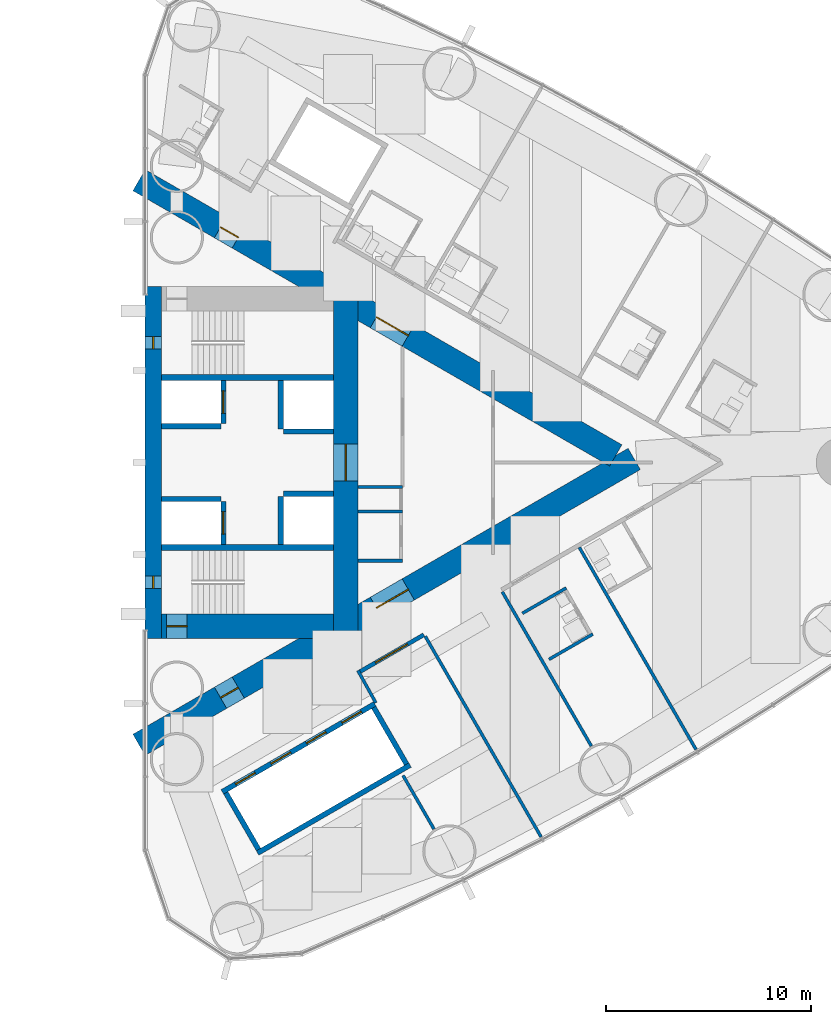
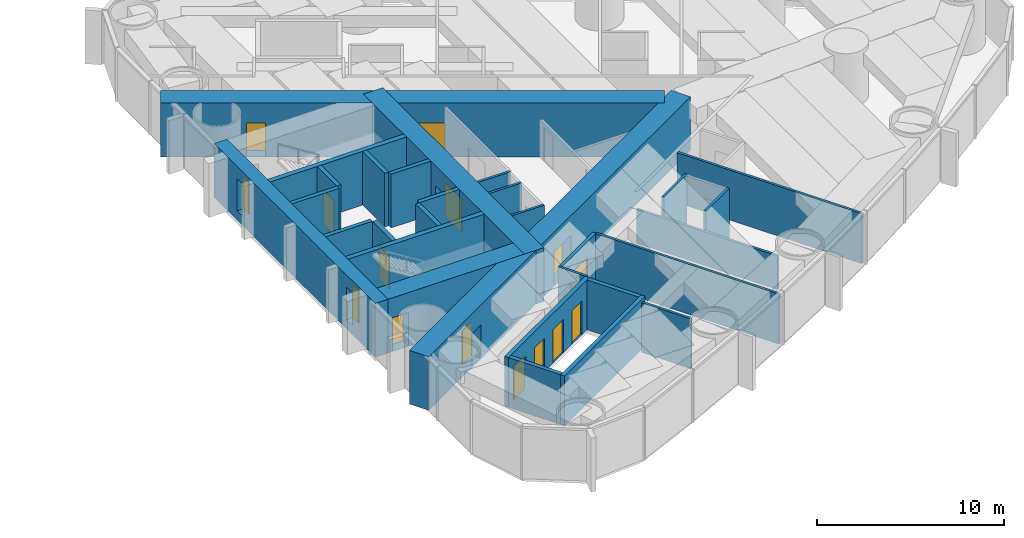
# One storey, part 13 of 18: 30 walls, 13 doors, 2 windows, 15 openings.
"""IFC4 building model written with IfcOpenShell, lengths in metres."""

from ifc_helpers import new_model, si_unit, direction, frame, frame_2d, origin, place, context, subcontext, project, spatial, rectangle, extrude, material, layer, layer_set, type_object, element, fill, save


model = new_model("IFC4")

# Units and contexts
model_context = context("Model", 3, precision=1e-05, world=origin(), true_north=direction((0.0, 1.0)))
body_context = subcontext(model_context, "Body", "Model", "MODEL_VIEW")
ifc_project = project(units=[si_unit("LENGTHUNIT", "METRE"), si_unit("AREAUNIT", "SQUARE_METRE"), si_unit("VOLUMEUNIT", "CUBIC_METRE"), si_unit("PLANEANGLEUNIT", "RADIAN"), si_unit("MASSUNIT", "GRAM", prefix="KILO")], contexts=[model_context])

# Site, building, storey
site_placement = place(None, origin())
site = spatial("IfcSite", under=ifc_project, at=site_placement, CompositionType="ELEMENT")
building_placement = place(site_placement, origin())
building = spatial("IfcBuilding", under=site, at=building_placement, Name="Lancet Gate Hotel", CompositionType="ELEMENT")
storey_placement = place(building_placement, frame((0.0, 0.0, 125.60009765625)))
storey = spatial("IfcBuildingStorey", under=building, at=storey_placement, Name="L33", CompositionType="ELEMENT", Elevation=125.60009765625)

# Walls
ifc_material_1 = material(Name="Moisture resistant board partition")
ifc_layer_1 = layer(ifc_material_1, 0.14990234375)
ifc_layer_set_1 = layer_set([ifc_layer_1], Name="Bathroom wall 150")
wall_type_1 = type_object("IfcWallType", Name="Bathroom wall 150", PredefinedType="PARTITIONING", material=ifc_layer_set_1)
wall_1_placement = place(storey_placement, frame((47.235107421875, -9.622802734375, 0.0), z_axis=(0.0, 0.0, 1.0), x_axis=(0.866006523861, 0.500032699561, 0.0)))
element("IfcWall", 1, at=wall_1_placement, inside=storey, type_object=wall_type_1, Name="T2 bathroom wall 150 L33", PredefinedType="PARTITIONING", context=body_context, shape_type="SweptSolid", body=[
    extrude(rectangle(XDim=2.474853515625, YDim=0.14990234375, at=frame_2d((1.2373046875, 0.0))), origin(), (0.0, 0.0, 1.0), 3.25),
])
wall_2_placement = place(storey_placement, frame((45.93505859375, -7.37109375, 0.0), z_axis=(0.0, 0.0, 1.0), x_axis=(0.866031185235, 0.4999899861, 0.0)))
element("IfcWall", 2, at=wall_2_placement, inside=storey, type_object=wall_type_1, Name="T2 bathroom wall 150 L33", PredefinedType="PARTITIONING", context=body_context, shape_type="SweptSolid", body=[
    extrude(rectangle(XDim=2.47509765625, YDim=0.14990234375, at=frame_2d((1.237548828125, 0.0))), origin(), (0.0, 0.0, 1.0), 3.25),
])

# Wall, openings, doors
ifc_material_2 = material(Name="Concrete C70/85", Category="concrete")
ifc_layer_2 = layer(ifc_material_2, 1.199951171875)
ifc_layer_set_2 = layer_set([ifc_layer_2], Name="Buttress wall 1200")
wall_type_2 = type_object("IfcWallType", Name="Buttress wall 1200", PredefinedType="SHEAR", material=ifc_layer_set_2)
wall_3_placement = place(storey_placement, frame((27.199951171875, -13.800048828125, 0.0), z_axis=(0.0, 0.0, 1.0), x_axis=(0.866027159892, 0.499996958321, 0.0)))
wall_3 = element("IfcWall", 3, at=wall_3_placement, inside=storey, type_object=wall_type_2, Name="T2 buttress wall S L33", PredefinedType="SHEAR", context=body_context, shape_type="SweptSolid", body=[
    extrude(rectangle(XDim=27.946533203125, YDim=1.199951171875, at=frame_2d((13.97314453125, 0.0))), origin(), (0.0, 0.0, 1.0), 3.5),
])
opening_1_placement = place(wall_3_placement, frame((4.60009765625, 0.0, 0.0)))
opening_1 = element("IfcOpeningElement", 4, at=opening_1_placement, cuts=wall_3, Name="Opening T2-L33-LS", PredefinedType="OPENING", context=body_context, shape_type="SweptSolid", body=[
    extrude(rectangle(XDim=1.0, YDim=2.199951171875, at=frame_2d((0.5, 1.10009765625))), frame((0.0, 0.60986328125, 0.0), z_axis=(0.0, -1.0, 0.0), x_axis=(1.0, 0.0, 0.0)), (0.0, 0.0, 1.0), 1.219970703125),
])
opening_2_placement = place(wall_3_placement, frame((13.39453125, 0.0, 0.0)))
opening_2 = element("IfcOpeningElement", 5, at=opening_2_placement, cuts=wall_3, Name="Opening T2-L33-LHS", PredefinedType="OPENING", context=body_context, shape_type="SweptSolid", body=[
    extrude(rectangle(XDim=1.800048828125, YDim=2.199951171875, at=frame_2d((0.89990234375, 1.10009765625))), frame((0.0, 0.60986328125, 0.0), z_axis=(0.0, -1.0, 0.0), x_axis=(1.0, 0.0, 0.0)), (0.0, 0.0, 1.0), 1.219970703125),
])
ifc_material_3 = material(Name="Timber door set", Category="wood")
door_type_1 = type_object("IfcDoorType", Name="Lobby double door 1800", OperationType="DOUBLE_DOOR_SINGLE_SWING", PredefinedType="DOOR", material=ifc_material_3)
door_1_placement = place(opening_2_placement, origin())
door_1 = element("IfcDoor", 6, at=door_1_placement, inside=storey, type_object=door_type_1, Name="T2-L33-LHS", OperationType="DOUBLE_DOOR_SINGLE_SWING", OverallHeight=2.199951171875, OverallWidth=1.800048828125, PredefinedType="DOOR", context=body_context, shape_type="SweptSolid", body=[
    extrude(rectangle(XDim=1.800048828125, YDim=2.199951171875, at=frame_2d((0.89990234375, 1.10009765625))), frame((0.0, 0.02490234375, 0.0), z_axis=(0.0, -1.0, 0.0), x_axis=(1.0, 0.0, 0.0)), (0.0, 0.0, 1.0), 0.050048828125),
])
fill(opening_2, door_1)
ifc_material_4 = material(Name="Timber door set", Category="wood")
door_type_2 = type_object("IfcDoorType", Name="Stair lobby door 1000", OperationType="SINGLE_SWING_LEFT", PredefinedType="DOOR", material=ifc_material_4)
door_2_placement = place(opening_1_placement, origin())
door_2 = element("IfcDoor", 7, at=door_2_placement, inside=storey, type_object=door_type_2, Name="T2-L33-LS", OperationType="SINGLE_SWING_LEFT", OverallHeight=2.199951171875, OverallWidth=1.0, PredefinedType="DOOR", context=body_context, shape_type="SweptSolid", body=[
    extrude(rectangle(XDim=1.0, YDim=2.199951171875, at=frame_2d((0.5, 1.10009765625))), frame((0.0, 0.02490234375, 0.0), z_axis=(0.0, -1.0, 0.0), x_axis=(1.0, 0.0, 0.0)), (0.0, 0.0, 1.0), 0.050048828125),
])
fill(opening_1, door_2)

wall_4_placement = place(storey_placement, frame((27.199951171875, 13.800048828125, 0.0), z_axis=(0.0, 0.0, 1.0), x_axis=(0.866024515034, -0.500001539357, 0.0)))
wall_4 = element("IfcWall", 8, at=wall_4_placement, inside=storey, type_object=wall_type_2, Name="T2 buttress wall N L33", PredefinedType="SHEAR", context=body_context, shape_type="SweptSolid", body=[
    extrude(rectangle(XDim=26.9072265625, YDim=1.199951171875, at=frame_2d((13.45361328125, 0.0))), origin(), (0.0, 0.0, 1.0), 3.5),
])
opening_3_placement = place(wall_4_placement, frame((4.60009765625, 0.0, 0.0)))
opening_3 = element("IfcOpeningElement", 9, at=opening_3_placement, cuts=wall_4, Name="Opening T2-L33-LN", PredefinedType="OPENING", context=body_context, shape_type="SweptSolid", body=[
    extrude(rectangle(XDim=1.0, YDim=2.199951171875, at=frame_2d((0.5, 1.10009765625))), frame((0.0, 0.60986328125, 0.0), z_axis=(0.0, -1.0, 0.0), x_axis=(1.0, 0.0, 0.0)), (0.0, 0.0, 1.0), 1.219970703125),
])
opening_4_placement = place(wall_4_placement, frame((13.39453125, 0.0, 0.0)))
opening_4 = element("IfcOpeningElement", 10, at=opening_4_placement, cuts=wall_4, Name="Opening T2-L33-LHN", PredefinedType="OPENING", context=body_context, shape_type="SweptSolid", body=[
    extrude(rectangle(XDim=1.800048828125, YDim=2.199951171875, at=frame_2d((0.89990234375, 1.10009765625))), frame((0.0, 0.60986328125, 0.0), z_axis=(0.0, -1.0, 0.0), x_axis=(1.0, 0.0, 0.0)), (0.0, 0.0, 1.0), 1.219970703125),
])
door_3_placement = place(opening_4_placement, origin())
door_3 = element("IfcDoor", 11, at=door_3_placement, inside=storey, type_object=door_type_1, Name="T2-L33-LHN", OperationType="DOUBLE_DOOR_SINGLE_SWING", OverallHeight=2.199951171875, OverallWidth=1.800048828125, PredefinedType="DOOR", context=body_context, shape_type="SweptSolid", body=[
    extrude(rectangle(XDim=1.800048828125, YDim=2.199951171875, at=frame_2d((0.89990234375, 1.10009765625))), frame((0.0, 0.02490234375, 0.0), z_axis=(0.0, -1.0, 0.0), x_axis=(1.0, 0.0, 0.0)), (0.0, 0.0, 1.0), 0.050048828125),
])
fill(opening_4, door_3)
door_4_placement = place(opening_3_placement, origin())
door_4 = element("IfcDoor", 12, at=door_4_placement, inside=storey, type_object=door_type_2, Name="T2-L33-LN", OperationType="SINGLE_SWING_LEFT", OverallHeight=2.199951171875, OverallWidth=1.0, PredefinedType="DOOR", context=body_context, shape_type="SweptSolid", body=[
    extrude(rectangle(XDim=1.0, YDim=2.199951171875, at=frame_2d((0.5, 1.10009765625))), frame((0.0, 0.02490234375, 0.0), z_axis=(0.0, -1.0, 0.0), x_axis=(1.0, 0.0, 0.0)), (0.0, 0.0, 1.0), 0.050048828125),
])
fill(opening_3, door_4)

# Wall, opening, door
ifc_material_5 = material(Name="Concrete C70/85", Category="concrete")
ifc_layer_3 = layer(ifc_material_5, 1.199951171875)
ifc_layer_set_3 = layer_set([ifc_layer_3], Name="Core wall 1200")
wall_type_3 = type_object("IfcWallType", Name="Core wall 1200", PredefinedType="SHEAR", material=ifc_layer_set_3)
wall_5_placement = place(storey_placement, frame((37.300048828125, -8.60009765625, 0.0), z_axis=(0.0, 0.0, 1.0), x_axis=(0.0, 1.0, 0.0)))
wall_5 = element("IfcWall", 13, at=wall_5_placement, inside=storey, type_object=wall_type_3, Name="T2 core wall back L33", PredefinedType="SHEAR", context=body_context, shape_type="SweptSolid", body=[
    extrude(rectangle(XDim=17.2001953125, YDim=1.199951171875, at=frame_2d((8.60009765625, 0.0))), origin(), (0.0, 0.0, 1.0), 3.5),
])
opening_5_placement = place(wall_5_placement, frame((7.699951171875, 0.0, 0.0)))
opening_5 = element("IfcOpeningElement", 14, at=opening_5_placement, cuts=wall_5, Name="Opening T2-L33-LL", PredefinedType="OPENING", context=body_context, shape_type="SweptSolid", body=[
    extrude(rectangle(XDim=1.800048828125, YDim=2.199951171875, at=frame_2d((0.89990234375, 1.10009765625))), frame((0.0, 0.60986328125, 0.0), z_axis=(0.0, -1.0, 0.0), x_axis=(1.0, 0.0, 0.0)), (0.0, 0.0, 1.0), 1.219970703125),
])
door_5_placement = place(opening_5_placement, origin())
door_5 = element("IfcDoor", 15, at=door_5_placement, inside=storey, type_object=door_type_1, Name="T2-L33-LL", OperationType="DOUBLE_DOOR_SINGLE_SWING", OverallHeight=2.199951171875, OverallWidth=1.800048828125, PredefinedType="DOOR", context=body_context, shape_type="SweptSolid", body=[
    extrude(rectangle(XDim=1.800048828125, YDim=2.199951171875, at=frame_2d((0.89990234375, 1.10009765625))), frame((0.0, 0.02490234375, 0.0), z_axis=(0.0, -1.0, 0.0), x_axis=(1.0, 0.0, 0.0)), (0.0, 0.0, 1.0), 0.050048828125),
])
fill(opening_5, door_5)

wall_6_placement = place(storey_placement, frame((28.300048828125, -8.0, 0.0), z_axis=(0.0, 0.0, 1.0), x_axis=(1.0, 0.0, 0.0)))
wall_6 = element("IfcWall", 16, at=wall_6_placement, inside=storey, type_object=wall_type_3, Name="T2 core wall side-S L33", PredefinedType="SHEAR", context=body_context, shape_type="SweptSolid", body=[
    extrude(rectangle(XDim=8.39990234375, YDim=1.199951171875, at=frame_2d((4.199951171875, 0.0))), origin(), (0.0, 0.0, 1.0), 3.5),
])
opening_6_placement = place(wall_6_placement, frame((0.25, 0.0, 0.0)))
opening_6 = element("IfcOpeningElement", 17, at=opening_6_placement, cuts=wall_6, Name="Opening T2-L33-ST1", PredefinedType="OPENING", context=body_context, shape_type="SweptSolid", body=[
    extrude(rectangle(XDim=1.0, YDim=2.199951171875, at=frame_2d((0.5, 1.10009765625))), frame((0.0, 0.60986328125, 0.0), z_axis=(0.0, -1.0, 0.0), x_axis=(1.0, 0.0, 0.0)), (0.0, 0.0, 1.0), 1.219970703125),
])
ifc_material_6 = material(Name="Timber door set", Category="wood")
door_type_3 = type_object("IfcDoorType", Name="Stair door 1000", OperationType="SINGLE_SWING_RIGHT", PredefinedType="DOOR", material=ifc_material_6)
door_6_placement = place(opening_6_placement, origin())
door_6 = element("IfcDoor", 18, at=door_6_placement, inside=storey, type_object=door_type_3, Name="T2-L33-ST1", OperationType="SINGLE_SWING_RIGHT", OverallHeight=2.199951171875, OverallWidth=1.0, PredefinedType="DOOR", context=body_context, shape_type="SweptSolid", body=[
    extrude(rectangle(XDim=1.0, YDim=2.199951171875, at=frame_2d((0.5, 1.10009765625))), frame((0.0, 0.02490234375, 0.0), z_axis=(0.0, -1.0, 0.0), x_axis=(1.0, 0.0, 0.0)), (0.0, 0.0, 1.0), 0.050048828125),
])
fill(opening_6, door_6)

# Wall, openings, windows
ifc_material_7 = material(Name="Concrete C70/85", Category="concrete")
ifc_layer_4 = layer(ifc_material_7, 0.800048828125)
ifc_layer_set_4 = layer_set([ifc_layer_4], Name="Core wall 800")
wall_type_4 = type_object("IfcWallType", Name="Core wall 800", PredefinedType="SHEAR", material=ifc_layer_set_4)
wall_7_placement = place(storey_placement, frame((27.89990234375, -8.60009765625, 0.0), z_axis=(0.0, 0.0, 1.0), x_axis=(0.0, 1.0, 0.0)))
wall_7 = element("IfcWall", 19, at=wall_7_placement, inside=storey, type_object=wall_type_4, Name="T2 core wall front L33", PredefinedType="SHEAR", context=body_context, shape_type="SweptSolid", body=[
    extrude(rectangle(XDim=17.2001953125, YDim=0.800048828125, at=frame_2d((8.60009765625, 0.0))), origin(), (0.0, 0.0, 1.0), 3.5),
])
opening_7_placement = place(wall_7_placement, frame((2.449951171875, 0.0, 0.60009765625)))
opening_7 = element("IfcOpeningElement", 20, at=opening_7_placement, cuts=wall_7, Name="Opening LW1", PredefinedType="OPENING", context=body_context, shape_type="SweptSolid", body=[
    extrude(rectangle(XDim=0.60009765625, YDim=2.10009765625, at=frame_2d((0.300048828125, 1.050048828125))), frame((0.0, 0.409912109375, 0.0), z_axis=(0.0, -1.0, 0.0), x_axis=(1.0, 0.0, 0.0)), (0.0, 0.0, 1.0), 0.820068359375),
])
opening_8_placement = place(wall_7_placement, frame((14.14990234375, 0.0, 0.60009765625)))
opening_8 = element("IfcOpeningElement", 21, at=opening_8_placement, cuts=wall_7, Name="Opening LW1", PredefinedType="OPENING", context=body_context, shape_type="SweptSolid", body=[
    extrude(rectangle(XDim=0.60009765625, YDim=2.10009765625, at=frame_2d((0.300048828125, 1.050048828125))), frame((0.0, 0.409912109375, 0.0), z_axis=(0.0, -1.0, 0.0), x_axis=(1.0, 0.0, 0.0)), (0.0, 0.0, 1.0), 0.820068359375),
])
ifc_material_8 = material(Name="Fire-resisting glazed steel window", Category="steel")
window_type = type_object("IfcWindowType", Name="Lancet window 600x2100", PartitioningType="SINGLE_PANEL", PredefinedType="WINDOW", material=ifc_material_8)
window_1_placement = place(opening_7_placement, origin())
window_1 = element("IfcWindow", 22, at=window_1_placement, inside=storey, type_object=window_type, Name="T2 stair window S L33", OverallHeight=2.10009765625, OverallWidth=0.60009765625, PartitioningType="SINGLE_PANEL", PredefinedType="WINDOW", context=body_context, shape_type="SweptSolid", body=[
    extrude(rectangle(XDim=0.60009765625, YDim=2.10009765625, at=frame_2d((0.300048828125, 1.050048828125))), frame((0.0, 0.030029296875, 0.0), z_axis=(0.0, -1.0, 0.0), x_axis=(1.0, 0.0, 0.0)), (0.0, 0.0, 1.0), 0.06005859375),
])
fill(opening_7, window_1)
window_2_placement = place(opening_8_placement, origin())
window_2 = element("IfcWindow", 23, at=window_2_placement, inside=storey, type_object=window_type, Name="T2 stair window N L33", OverallHeight=2.10009765625, OverallWidth=0.60009765625, PartitioningType="SINGLE_PANEL", PredefinedType="WINDOW", context=body_context, shape_type="SweptSolid", body=[
    extrude(rectangle(XDim=0.60009765625, YDim=2.10009765625, at=frame_2d((0.300048828125, 1.050048828125))), frame((0.0, 0.030029296875, 0.0), z_axis=(0.0, -1.0, 0.0), x_axis=(1.0, 0.0, 0.0)), (0.0, 0.0, 1.0), 0.06005859375),
])
fill(opening_8, window_2)

# Wall, opening, door
ifc_material_9 = material(Name="Gypsum board partition")
ifc_layer_5 = layer(ifc_material_9, 0.199951171875)
ifc_layer_set_5 = layer_set([ifc_layer_5], Name="Corridor wall 200")
wall_type_5 = type_object("IfcWallType", Name="Corridor wall 200", PredefinedType="PARTITIONING", material=ifc_layer_set_5)
wall_8_placement = place(storey_placement, frame((37.9599609375, -10.243408203125, 0.0), z_axis=(0.0, 0.0, 1.0), x_axis=(0.866042886279, 0.499969718208, 0.0)))
wall_8 = element("IfcWall", 24, at=wall_8_placement, inside=storey, type_object=wall_type_5, Name="T2 corridor wall 200 L33", PredefinedType="PARTITIONING", context=body_context, shape_type="SweptSolid", body=[
    extrude(rectangle(XDim=3.646728515625, YDim=0.199951171875, at=frame_2d((1.8232421875, 0.0))), origin(), (0.0, 0.0, 1.0), 3.25),
])
opening_9_placement = place(wall_8_placement, frame((0.92333984375, 0.0, 0.0)))
opening_9 = element("IfcOpeningElement", 25, at=opening_9_placement, cuts=wall_8, Name="Opening T2-L33-LO2", PredefinedType="OPENING", context=body_context, shape_type="SweptSolid", body=[
    extrude(rectangle(XDim=1.800048828125, YDim=2.199951171875, at=frame_2d((0.89990234375, 1.10009765625))), frame((0.0, 0.10986328125, 0.0), z_axis=(0.0, -1.0, 0.0), x_axis=(1.0, 0.0, 0.0)), (0.0, 0.0, 1.0), 0.219970703125),
])
ifc_material_10 = material(Name="Timber door set", Category="wood")
door_type_4 = type_object("IfcDoorType", Name="Double door 1800", OperationType="DOUBLE_DOOR_SINGLE_SWING", PredefinedType="DOOR", material=ifc_material_10)
door_7_placement = place(opening_9_placement, origin())
door_7 = element("IfcDoor", 26, at=door_7_placement, inside=storey, type_object=door_type_4, Name="T2-L33-LO2", OperationType="DOUBLE_DOOR_SINGLE_SWING", OverallHeight=2.199951171875, OverallWidth=1.800048828125, PredefinedType="DOOR", context=body_context, shape_type="SweptSolid", body=[
    extrude(rectangle(XDim=1.800048828125, YDim=2.199951171875, at=frame_2d((0.89990234375, 1.10009765625))), frame((0.0, 0.02490234375, 0.0), z_axis=(0.0, -1.0, 0.0), x_axis=(1.0, 0.0, 0.0)), (0.0, 0.0, 1.0), 0.050048828125),
])
fill(opening_9, door_7)

# Wall, openings, doors
ifc_material_11 = material(Name="Gypsum board partition")
ifc_layer_6 = layer(ifc_material_11, 0.25)
ifc_layer_set_6 = layer_set([ifc_layer_6], Name="Lift shaft partition 250")
wall_type_6 = type_object("IfcWallType", Name="Lift shaft partition 250", PredefinedType="PARTITIONING", material=ifc_layer_set_6)
wall_9_placement = place(storey_placement, frame((31.2705078125, -16.09716796875, 0.0), z_axis=(0.0, 0.0, 1.0), x_axis=(0.86604045752, 0.499973925258, 0.0)))
wall_9 = element("IfcWall", 27, at=wall_9_placement, inside=storey, type_object=wall_type_6, Name="T2 lift shaft wall LR L33", PredefinedType="PARTITIONING", context=body_context, shape_type="SweptSolid", body=[
    extrude(rectangle(XDim=8.60009765625, YDim=0.25, at=frame_2d((4.300048828125, 0.0))), origin(), (0.0, 0.0, 1.0), 3.25),
])
opening_10_placement = place(wall_9_placement, frame((0.75, 0.0, 0.0)))
opening_10 = element("IfcOpeningElement", 28, at=opening_10_placement, cuts=wall_9, Name="Opening T2-LR1-L33", PredefinedType="OPENING", context=body_context, shape_type="SweptSolid", body=[
    extrude(rectangle(XDim=1.10009765625, YDim=2.199951171875, at=frame_2d((0.550048828125, 1.10009765625))), frame((0.0, 0.135009765625, 0.0), z_axis=(0.0, -1.0, 0.0), x_axis=(1.0, 0.0, 0.0)), (0.0, 0.0, 1.0), 0.27001953125),
])
opening_11_placement = place(wall_9_placement, frame((2.75, 0.0, 0.0)))
opening_11 = element("IfcOpeningElement", 29, at=opening_11_placement, cuts=wall_9, Name="Opening T2-LR2-L33", PredefinedType="OPENING", context=body_context, shape_type="SweptSolid", body=[
    extrude(rectangle(XDim=1.10009765625, YDim=2.199951171875, at=frame_2d((0.550048828125, 1.10009765625))), frame((0.0, 0.135009765625, 0.0), z_axis=(0.0, -1.0, 0.0), x_axis=(1.0, 0.0, 0.0)), (0.0, 0.0, 1.0), 0.27001953125),
])
opening_12_placement = place(wall_9_placement, frame((4.75, 0.0, 0.0)))
opening_12 = element("IfcOpeningElement", 30, at=opening_12_placement, cuts=wall_9, Name="Opening T2-LR3-L33", PredefinedType="OPENING", context=body_context, shape_type="SweptSolid", body=[
    extrude(rectangle(XDim=1.10009765625, YDim=2.199951171875, at=frame_2d((0.550048828125, 1.10009765625))), frame((0.0, 0.135009765625, 0.0), z_axis=(0.0, -1.0, 0.0), x_axis=(1.0, 0.0, 0.0)), (0.0, 0.0, 1.0), 0.27001953125),
])
opening_13_placement = place(wall_9_placement, frame((6.75, 0.0, 0.0)))
opening_13 = element("IfcOpeningElement", 31, at=opening_13_placement, cuts=wall_9, Name="Opening T2-LR4-L33", PredefinedType="OPENING", context=body_context, shape_type="SweptSolid", body=[
    extrude(rectangle(XDim=1.10009765625, YDim=2.199951171875, at=frame_2d((0.550048828125, 1.10009765625))), frame((0.0, 0.135009765625, 0.0), z_axis=(0.0, -1.0, 0.0), x_axis=(1.0, 0.0, 0.0)), (0.0, 0.0, 1.0), 0.27001953125),
])
ifc_material_12 = material(Name="Steel door set", Category="steel")
door_type_5 = type_object("IfcDoorType", Name="Lift landing door 1100", OperationType="DOUBLE_DOOR_SLIDING", PredefinedType="USERDEFINED", material=ifc_material_12)
door_8_placement = place(opening_10_placement, origin())
door_8 = element("IfcDoor", 32, at=door_8_placement, inside=storey, type_object=door_type_5, Name="T2-LR1-L33", ObjectType="LIFT LANDING DOOR", OperationType="DOUBLE_DOOR_SLIDING", OverallHeight=2.199951171875, OverallWidth=1.10009765625, PredefinedType="USERDEFINED", context=body_context, shape_type="SweptSolid", body=[
    extrude(rectangle(XDim=1.10009765625, YDim=2.199951171875, at=frame_2d((0.550048828125, 1.10009765625))), frame((0.0, 0.02490234375, 0.0), z_axis=(0.0, -1.0, 0.0), x_axis=(1.0, 0.0, 0.0)), (0.0, 0.0, 1.0), 0.050048828125),
])
fill(opening_10, door_8)
door_9_placement = place(opening_11_placement, origin())
door_9 = element("IfcDoor", 33, at=door_9_placement, inside=storey, type_object=door_type_5, Name="T2-LR2-L33", ObjectType="LIFT LANDING DOOR", OperationType="DOUBLE_DOOR_SLIDING", OverallHeight=2.199951171875, OverallWidth=1.10009765625, PredefinedType="USERDEFINED", context=body_context, shape_type="SweptSolid", body=[
    extrude(rectangle(XDim=1.10009765625, YDim=2.199951171875, at=frame_2d((0.550048828125, 1.10009765625))), frame((0.0, 0.02490234375, 0.0), z_axis=(0.0, -1.0, 0.0), x_axis=(1.0, 0.0, 0.0)), (0.0, 0.0, 1.0), 0.050048828125),
])
fill(opening_11, door_9)
door_10_placement = place(opening_12_placement, origin())
door_10 = element("IfcDoor", 34, at=door_10_placement, inside=storey, type_object=door_type_5, Name="T2-LR3-L33", ObjectType="LIFT LANDING DOOR", OperationType="DOUBLE_DOOR_SLIDING", OverallHeight=2.199951171875, OverallWidth=1.10009765625, PredefinedType="USERDEFINED", context=body_context, shape_type="SweptSolid", body=[
    extrude(rectangle(XDim=1.10009765625, YDim=2.199951171875, at=frame_2d((0.550048828125, 1.10009765625))), frame((0.0, 0.02490234375, 0.0), z_axis=(0.0, -1.0, 0.0), x_axis=(1.0, 0.0, 0.0)), (0.0, 0.0, 1.0), 0.050048828125),
])
fill(opening_12, door_10)
door_11_placement = place(opening_13_placement, origin())
door_11 = element("IfcDoor", 35, at=door_11_placement, inside=storey, type_object=door_type_5, Name="T2-LR4-L33", ObjectType="LIFT LANDING DOOR", OperationType="DOUBLE_DOOR_SLIDING", OverallHeight=2.199951171875, OverallWidth=1.10009765625, PredefinedType="USERDEFINED", context=body_context, shape_type="SweptSolid", body=[
    extrude(rectangle(XDim=1.10009765625, YDim=2.199951171875, at=frame_2d((0.550048828125, 1.10009765625))), frame((0.0, 0.02490234375, 0.0), z_axis=(0.0, -1.0, 0.0), x_axis=(1.0, 0.0, 0.0)), (0.0, 0.0, 1.0), 0.050048828125),
])
fill(opening_13, door_11)

# Walls
wall_10_placement = place(storey_placement, frame((32.99560546875, -19.085693359375, 0.0), z_axis=(0.0, 0.0, 1.0), x_axis=(0.866028165386, 0.499995216735, 0.0)))
element("IfcWall", 36, at=wall_10_placement, inside=storey, type_object=wall_type_6, Name="T2 lift shaft wall LR L33", PredefinedType="PARTITIONING", context=body_context, shape_type="SweptSolid", body=[
    extrude(rectangle(XDim=8.60009765625, YDim=0.25, at=frame_2d((4.300048828125, 0.0))), origin(), (0.0, 0.0, 1.0), 3.25),
])
for number, where, z_axis, x_axis, name in (
    (37, (31.441162109375, -16.14306640625, 0.0), (0.0, 0.0, 1.0), (0.499929347863, -0.866066190972, 0.0), "T2 lift shaft wall LR L33"),
    (38, (38.672607421875, -11.968017578125, 0.0), (0.0, 0.0, 1.0), (0.499929347863, -0.866066190972, 0.0), "T2 lift shaft wall LR L33"),
):
    element("IfcWall", number, at=place(storey_placement, frame(where, z_axis=z_axis, x_axis=x_axis)), inside=storey, type_object=wall_type_6, Name=name, PredefinedType="PARTITIONING", context=body_context, shape_type="SweptSolid", body=[
        extrude(rectangle(XDim=3.20068359375, YDim=0.25, at=frame_2d((1.600341796875, 0.0))), origin(), (0.0, 0.0, 1.0), 3.25),
    ])

# Wall, opening, door
ifc_material_13 = material(Name="Concrete C50/60", Category="concrete")
ifc_layer_7 = layer(ifc_material_13, 0.25)
ifc_layer_set_7 = layer_set([ifc_layer_7], Name="Lift shaft wall 250")
wall_type_7 = type_object("IfcWallType", Name="Lift shaft wall 250", PredefinedType="SHEAR", material=ifc_layer_set_7)
wall_11_placement = place(storey_placement, frame((31.324951171875, -4.0, 0.0), z_axis=(0.0, 0.0, 1.0), x_axis=(0.0, 1.0, 0.0)))
wall_11 = element("IfcWall", 39, at=wall_11_placement, inside=storey, type_object=wall_type_7, Name="T2 core wall row1-S L33", PredefinedType="SHEAR", context=body_context, shape_type="SweptSolid", body=[
    extrude(rectangle(XDim=2.10009765625, YDim=0.25, at=frame_2d((1.050048828125, 0.0))), origin(), (0.0, 0.0, 1.0), 3.5),
])
opening_14_placement = place(wall_11_placement, frame((0.5, 0.0, 0.0)))
opening_14 = element("IfcOpeningElement", 40, at=opening_14_placement, cuts=wall_11, Name="Opening T2-SL1-L33", PredefinedType="OPENING", context=body_context, shape_type="SweptSolid", body=[
    extrude(rectangle(XDim=1.10009765625, YDim=2.199951171875, at=frame_2d((0.550048828125, 1.10009765625))), frame((0.0, 0.135009765625, 0.0), z_axis=(0.0, -1.0, 0.0), x_axis=(1.0, 0.0, 0.0)), (0.0, 0.0, 1.0), 0.27001953125),
])
ifc_material_14 = material(Name="Timber door set", Category="wood")
door_type_6 = type_object("IfcDoorType", Name="Service lift landing door 1100", OperationType="SLIDING_TO_LEFT", PredefinedType="USERDEFINED", material=ifc_material_14)
door_12_placement = place(opening_14_placement, origin())
door_12 = element("IfcDoor", 41, at=door_12_placement, inside=storey, type_object=door_type_6, Name="T2-SL1-L33", ObjectType="LIFT LANDING DOOR", OperationType="SLIDING_TO_LEFT", OverallHeight=2.199951171875, OverallWidth=1.10009765625, PredefinedType="USERDEFINED", context=body_context, shape_type="SweptSolid", body=[
    extrude(rectangle(XDim=1.10009765625, YDim=2.199951171875, at=frame_2d((0.550048828125, 1.10009765625))), frame((0.0, 0.02490234375, 0.0), z_axis=(0.0, -1.0, 0.0), x_axis=(1.0, 0.0, 0.0)), (0.0, 0.0, 1.0), 0.050048828125),
])
fill(opening_14, door_12)

# Walls
wall_12_placement = place(storey_placement, frame((34.125, -4.0, 0.0), z_axis=(0.0, 0.0, 1.0), x_axis=(0.0, 1.0, 0.0)))
element("IfcWall", 42, at=wall_12_placement, inside=storey, type_object=wall_type_7, Name="T2 core wall row2-S L33", PredefinedType="SHEAR", context=body_context, shape_type="SweptSolid", body=[
    extrude(rectangle(XDim=2.35009765625, YDim=0.25, at=frame_2d((1.175048828125, 0.0))), origin(), (0.0, 0.0, 1.0), 3.5),
])
wall_13_placement = place(storey_placement, frame((28.300048828125, -1.77490234375, 0.0), z_axis=(0.0, 0.0, 1.0), x_axis=(1.0, 0.0, 0.0)))
element("IfcWall", 43, at=wall_13_placement, inside=storey, type_object=wall_type_7, Name="T2 core wall pass1-S L33", PredefinedType="SHEAR", context=body_context, shape_type="SweptSolid", body=[
    extrude(rectangle(XDim=2.89990234375, YDim=0.25, at=frame_2d((1.449951171875, 0.0))), origin(), (0.0, 0.0, 1.0), 3.5),
])
wall_14_placement = place(storey_placement, frame((34.25, -1.52490234375, 0.0), z_axis=(0.0, 0.0, 1.0), x_axis=(1.0, 0.0, 0.0)))
element("IfcWall", 44, at=wall_14_placement, inside=storey, type_object=wall_type_7, Name="T2 core wall pass2-S L33", PredefinedType="SHEAR", context=body_context, shape_type="SweptSolid", body=[
    extrude(rectangle(XDim=2.449951171875, YDim=0.25, at=frame_2d((1.22509765625, 0.0))), origin(), (0.0, 0.0, 1.0), 3.5),
])

# Wall, opening, door
wall_15_placement = place(storey_placement, frame((31.324951171875, 1.89990234375, 0.0), z_axis=(0.0, 0.0, 1.0), x_axis=(0.0, 1.0, 0.0)))
wall_15 = element("IfcWall", 45, at=wall_15_placement, inside=storey, type_object=wall_type_7, Name="T2 core wall row1-N L33", PredefinedType="SHEAR", context=body_context, shape_type="SweptSolid", body=[
    extrude(rectangle(XDim=2.10009765625, YDim=0.25, at=frame_2d((1.050048828125, 0.0))), origin(), (0.0, 0.0, 1.0), 3.5),
])
opening_15_placement = place(wall_15_placement, frame((0.5, 0.0, 0.0)))
opening_15 = element("IfcOpeningElement", 46, at=opening_15_placement, cuts=wall_15, Name="Opening T2-FL2-L33", PredefinedType="OPENING", context=body_context, shape_type="SweptSolid", body=[
    extrude(rectangle(XDim=1.10009765625, YDim=2.199951171875, at=frame_2d((0.550048828125, 1.10009765625))), frame((0.0, 0.135009765625, 0.0), z_axis=(0.0, -1.0, 0.0), x_axis=(1.0, 0.0, 0.0)), (0.0, 0.0, 1.0), 0.27001953125),
])
ifc_material_15 = material(Name="Steel door set", Category="steel")
door_type_7 = type_object("IfcDoorType", Name="Firefighting lift landing door 1100", OperationType="SLIDING_TO_LEFT", PredefinedType="USERDEFINED", material=ifc_material_15)
door_13_placement = place(opening_15_placement, origin())
door_13 = element("IfcDoor", 47, at=door_13_placement, inside=storey, type_object=door_type_7, Name="T2-FL2-L33", ObjectType="LIFT LANDING DOOR", OperationType="SLIDING_TO_LEFT", OverallHeight=2.199951171875, OverallWidth=1.10009765625, PredefinedType="USERDEFINED", context=body_context, shape_type="SweptSolid", body=[
    extrude(rectangle(XDim=1.10009765625, YDim=2.199951171875, at=frame_2d((0.550048828125, 1.10009765625))), frame((0.0, 0.02490234375, 0.0), z_axis=(0.0, -1.0, 0.0), x_axis=(1.0, 0.0, 0.0)), (0.0, 0.0, 1.0), 0.050048828125),
])
fill(opening_15, door_13)

# Walls
wall_16_placement = place(storey_placement, frame((34.125, 1.64990234375, 0.0), z_axis=(0.0, 0.0, 1.0), x_axis=(0.0, 1.0, 0.0)))
element("IfcWall", 48, at=wall_16_placement, inside=storey, type_object=wall_type_7, Name="T2 core wall row2-N L33", PredefinedType="SHEAR", context=body_context, shape_type="SweptSolid", body=[
    extrude(rectangle(XDim=2.35009765625, YDim=0.25, at=frame_2d((1.175048828125, 0.0))), origin(), (0.0, 0.0, 1.0), 3.5),
])
wall_17_placement = place(storey_placement, frame((28.300048828125, 1.77490234375, 0.0), z_axis=(0.0, 0.0, 1.0), x_axis=(1.0, 0.0, 0.0)))
element("IfcWall", 49, at=wall_17_placement, inside=storey, type_object=wall_type_7, Name="T2 core wall pass1-N L33", PredefinedType="SHEAR", context=body_context, shape_type="SweptSolid", body=[
    extrude(rectangle(XDim=2.89990234375, YDim=0.25, at=frame_2d((1.449951171875, 0.0))), origin(), (0.0, 0.0, 1.0), 3.5),
])
wall_18_placement = place(storey_placement, frame((34.25, 1.52490234375, 0.0), z_axis=(0.0, 0.0, 1.0), x_axis=(1.0, 0.0, 0.0)))
element("IfcWall", 50, at=wall_18_placement, inside=storey, type_object=wall_type_7, Name="T2 core wall pass2-N L33", PredefinedType="SHEAR", context=body_context, shape_type="SweptSolid", body=[
    extrude(rectangle(XDim=2.449951171875, YDim=0.25, at=frame_2d((1.22509765625, 0.0))), origin(), (0.0, 0.0, 1.0), 3.5),
])
ifc_material_16 = material(Name="Gypsum board partition")
ifc_layer_8 = layer(ifc_material_16, 0.14990234375)
ifc_layer_set_8 = layer_set([ifc_layer_8], Name="Party wall 150")
wall_type_8 = type_object("IfcWallType", Name="Party wall 150", PredefinedType="PARTITIONING", material=ifc_layer_set_8)
wall_19_placement = place(storey_placement, frame((41.18994140625, -8.494140625, 0.0), z_axis=(0.0, 0.0, 1.0), x_axis=(0.49999258054, -0.866029687369, 0.0)))
element("IfcWall", 51, at=wall_19_placement, inside=storey, type_object=wall_type_8, Name="T2 party wall 150 L33", PredefinedType="PARTITIONING", context=body_context, shape_type="SweptSolid", body=[
    extrude(rectangle(XDim=11.318115234375, YDim=0.14990234375, at=frame_2d((5.6591796875, 0.0))), origin(), (0.0, 0.0, 1.0), 3.25),
])
wall_20_placement = place(storey_placement, frame((44.95361328125, -6.3212890625, 0.0), z_axis=(0.0, 0.0, 1.0), x_axis=(0.500018676722, -0.866014620505, 0.0)))
element("IfcWall", 52, at=wall_20_placement, inside=storey, type_object=wall_type_8, Name="T2 party wall 150 L33", PredefinedType="PARTITIONING", context=body_context, shape_type="SweptSolid", body=[
    extrude(rectangle(XDim=8.703857421875, YDim=0.14990234375, at=frame_2d((4.35205078125, 0.0))), origin(), (0.0, 0.0, 1.0), 2.199951171875),
])
wall_21_placement = place(storey_placement, frame((48.718505859375, -4.1474609375, 0.0), z_axis=(0.0, 0.0, 1.0), x_axis=(0.499990498062, -0.866030889661, 0.0)))
element("IfcWall", 53, at=wall_21_placement, inside=storey, type_object=wall_type_8, Name="T2 party wall 150 L33", PredefinedType="PARTITIONING", context=body_context, shape_type="SweptSolid", body=[
    extrude(rectangle(XDim=11.406005859375, YDim=0.14990234375, at=frame_2d((5.703125, 0.0))), origin(), (0.0, 0.0, 1.0), 3.25),
])
wall_22_placement = place(storey_placement, frame((40.10546875, -15.298583984375, 0.0), z_axis=(0.0, 0.0, 1.0), x_axis=(0.499978822259, -0.866037630414, 0.0)))
element("IfcWall", 54, at=wall_22_placement, inside=storey, type_object=wall_type_8, Name="T2 party wall 150 L33", PredefinedType="PARTITIONING", context=body_context, shape_type="SweptSolid", body=[
    extrude(rectangle(XDim=3.022705078125, YDim=0.14990234375, at=frame_2d((1.51123046875, 0.0))), origin(), (0.0, 0.0, 1.0), 3.25),
])
ifc_material_17 = material(Name="Gypsum board partition")
ifc_layer_9 = layer(ifc_material_17, 0.14990234375)
ifc_layer_set_9 = layer_set([ifc_layer_9], Name="Service room wall 150")
wall_type_9 = type_object("IfcWallType", Name="Service room wall 150", PredefinedType="PARTITIONING", material=ifc_layer_set_9)
wall_23_placement = place(storey_placement, frame((38.7734375, -11.742431640625, 0.0), z_axis=(0.0, 0.0, 1.0), x_axis=(-0.485528096672, 0.8742210632, 0.0)))
element("IfcWall", 55, at=wall_23_placement, inside=storey, type_object=wall_type_9, Name="T2 service room wall 150 L33", PredefinedType="PARTITIONING", context=body_context, shape_type="SweptSolid", body=[
    extrude(rectangle(XDim=1.80517578125, YDim=0.14990234375, at=frame_2d((0.902587890625, 0.0))), origin(), (0.0, 0.0, 1.0), 3.25),
])
for number, where, z_axis, x_axis, name in (
    (56, (37.89990234375, -1.199951171875, 0.0), (0.0, 0.0, 1.0), (1.0, 0.0, 0.0), "T2 service room wall 150 L33"),
    (57, (37.89990234375, -2.39990234375, 0.0), (0.0, 0.0, 1.0), (1.0, 0.0, 0.0), "T2 service room wall 150 L33"),
    (58, (37.89990234375, -4.800048828125, 0.0), (0.0, 0.0, 1.0), (1.0, 0.0, 0.0), "T2 service room wall 150 L33"),
):
    element("IfcWall", number, at=place(storey_placement, frame(where, z_axis=z_axis, x_axis=x_axis)), inside=storey, type_object=wall_type_9, Name=name, PredefinedType="PARTITIONING", context=body_context, shape_type="SweptSolid", body=[
        extrude(rectangle(XDim=2.175048828125, YDim=0.14990234375, at=frame_2d((1.08740234375, 0.0))), origin(), (0.0, 0.0, 1.0), 3.25),
    ])
ifc_material_18 = material(Name="Concrete C50/60", Category="concrete")
ifc_layer_10 = layer(ifc_material_18, 0.300048828125)
ifc_layer_set_10 = layer_set([ifc_layer_10], Name="Stair enclosure wall 300")
wall_type_10 = type_object("IfcWallType", Name="Stair enclosure wall 300", PredefinedType="SHEAR", material=ifc_layer_set_10)
for number, where, z_axis, x_axis, name in (
    (59, (28.300048828125, -4.14990234375, 0.0), (0.0, 0.0, 1.0), (1.0, 0.0, 0.0), "T2 core wall stair-S L33"),
    (60, (28.300048828125, 4.14990234375, 0.0), (0.0, 0.0, 1.0), (1.0, 0.0, 0.0), "T2 core wall stair-N L33"),
):
    element("IfcWall", number, at=place(storey_placement, frame(where, z_axis=z_axis, x_axis=x_axis)), inside=storey, type_object=wall_type_10, Name=name, PredefinedType="SHEAR", context=body_context, shape_type="SweptSolid", body=[
        extrude(rectangle(XDim=8.39990234375, YDim=0.300048828125, at=frame_2d((4.199951171875, 0.0))), origin(), (0.0, 0.0, 1.0), 3.5),
    ])

save(model, "model.ifc")
